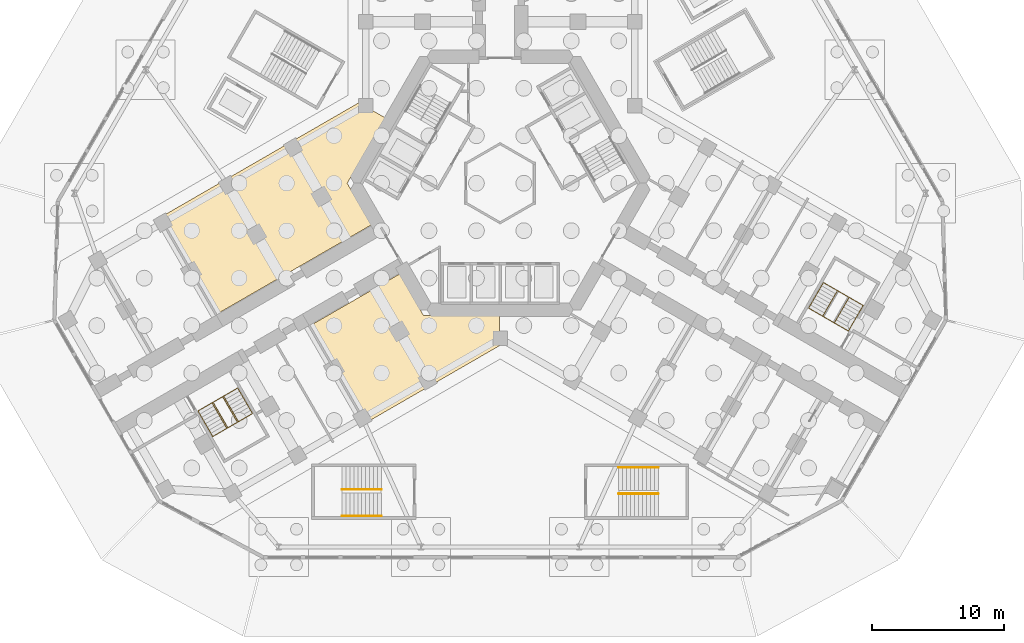
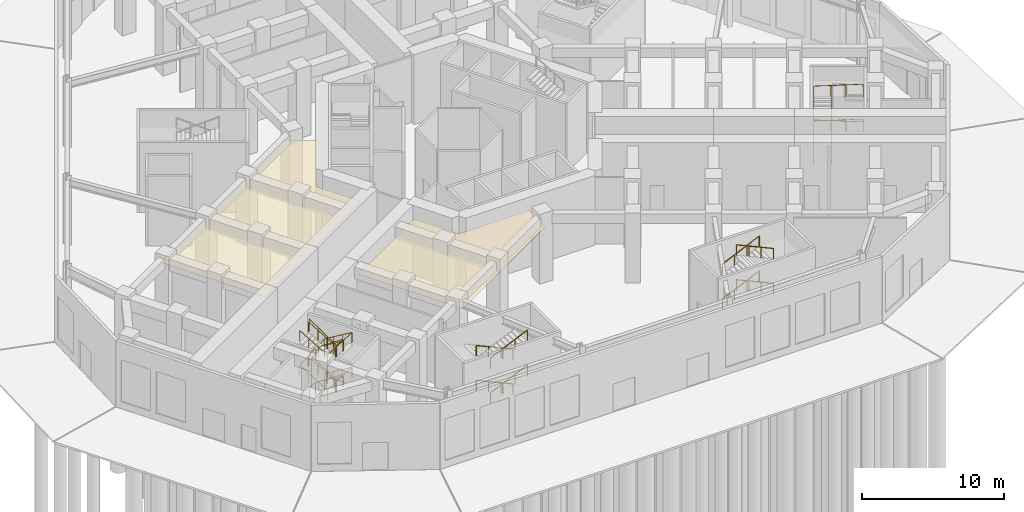
# One storey, part 13 of 16: 13 railings, 2 coverings.
"""IFC4 building model written with IfcOpenShell, lengths in metres."""

from ifc_helpers import new_model, si_unit, direction, frame, origin, origin_2d, place, context, subcontext, project, spatial, polyline, circle, outline, extrude, material, layer, layer_set, type_object, element, save


model = new_model("IFC4")

# Units and contexts
model_context = context("Model", 3, precision=1e-05, world=origin(), true_north=direction((0.0, 1.0)))
body_context = subcontext(model_context, "Body", "Model", "MODEL_VIEW")
ifc_project = project(units=[si_unit("LENGTHUNIT", "METRE"), si_unit("AREAUNIT", "SQUARE_METRE"), si_unit("VOLUMEUNIT", "CUBIC_METRE"), si_unit("PLANEANGLEUNIT", "RADIAN"), si_unit("MASSUNIT", "GRAM", prefix="KILO")], contexts=[model_context])

# Site, building, storey
site_placement = place(None, origin())
site = spatial("IfcSite", under=ifc_project, at=site_placement, CompositionType="ELEMENT")
building_placement = place(site_placement, origin())
building = spatial("IfcBuilding", under=site, at=building_placement, Name="Kosmar Iwan School Tower", CompositionType="ELEMENT")
storey_placement = place(building_placement, origin())
storey = spatial("IfcBuildingStorey", under=building, at=storey_placement, Name="L00", CompositionType="ELEMENT", Elevation=0.0)

# Coverings
ifc_material_1 = material(Name="Mineral fibre acoustic tiles")
ifc_layer = layer(ifc_material_1, 0.02490234375)
ifc_layer_set = layer_set([ifc_layer], Name="Acoustic ceiling")
covering_type = type_object("IfcCoveringType", Name="Acoustic ceiling", PredefinedType="CEILING", material=ifc_layer_set)
covering_1_placement = place(storey_placement, frame((0.0, 0.0, 4.800048828125)))
element("IfcCovering", 1, at=covering_1_placement, inside=storey, type_object=covering_type, Name="Ceiling Gymnasium L00-BL-R1", PredefinedType="CEILING", context=body_context, shape_type="SweptSolid", body=[
    extrude(outline(polyline([(-10.1767578125, -18.173095703125), (-0.0654296875, -12.33544921875), (-0.0625, -10.050048828125), (-5.802490234375, -10.050048828125), (-7.628662109375, -6.886962890625), (-14.4267578125, -10.81201171875), (-10.1767578125, -18.173095703125)])), origin(), (0.0, 0.0, 1.0), 0.02490234375),
])
covering_2_placement = place(storey_placement, frame((0.0, 0.0, 4.800048828125)))
element("IfcCovering", 2, at=covering_2_placement, inside=storey, type_object=covering_type, Name="Ceiling Gymnasium L00-BR-R1", PredefinedType="CEILING", context=body_context, shape_type="SweptSolid", body=[
    extrude(outline(polyline([(-21.51318359375, -9.93798828125), (-9.778564453125, -3.1630859375), (-11.604736328125, 0.0), (-8.73486328125, 4.970703125), (-10.71533203125, 6.111083984375), (-25.76318359375, -2.576904296875), (-21.51318359375, -9.93798828125)])), origin(), (0.0, 0.0, 1.0), 0.02490234375),
])

# Railings
ifc_material_2 = material(Name="Black steel", Category="steel")
railing_type_1 = type_object("IfcRailingType", Name="Stair handrail 900", PredefinedType="HANDRAIL", material=ifc_material_2)
railing_1_placement = place(storey_placement, frame((-19.9091796875, -15.5361328125, 0.166748046875)))
element("IfcRailing", 3, at=railing_1_placement, inside=storey, type_object=railing_type_1, Name="Handrail stair WS2 L00 wall side", PredefinedType="HANDRAIL", context=body_context, shape_type="SweptSolid", body=[
    extrude(circle(Radius=0.02392578125, at=origin_2d()), frame((0.0, 0.0, 0.8759765625), z_axis=(0.429608131991, -0.744204538217, 0.51146501173), x_axis=(0.866054910533, 0.49994888933, 0.0)), (0.0, 0.0, 1.0), 2.606689453125),
    extrude(circle(Radius=0.02392578125, at=origin_2d()), frame((1.119873046875, -1.93994140625, 2.208984375), z_axis=(-0.86502717203, -0.499436864473, 0.047862407526), x_axis=(0.500009906705, -0.86601968407, 0.0)), (0.0, 0.0, 1.0), 3.48388671875),
    extrude(circle(Radius=0.02392578125, at=origin_2d()), frame((-1.893798828125, -3.679931640625, 2.3759765625), z_axis=(-0.429684499369, 0.744174592847, 0.511444431354), x_axis=(-0.866007717299, -0.500030632641, 0.0)), (0.0, 0.0, 1.0), 2.60693359375),
    extrude(circle(Radius=0.02392578125, at=origin_2d()), frame((-3.013916015625, -1.739990234375, 3.708984375), z_axis=(0.865044810701, 0.499406590998, 0.047859506335), x_axis=(-0.499979528911, 0.866037222451, 0.0)), (0.0, 0.0, 1.0), 3.484130859375),
    extrude(circle(Radius=0.02392578125, at=origin_2d()), frame((0.0, 0.0, 3.8759765625), z_axis=(0.429608131991, -0.744204538217, 0.51146501173), x_axis=(0.866054910533, 0.49994888933, 0.0)), (0.0, 0.0, 1.0), 2.606689453125),
    extrude(circle(Radius=0.02392578125, at=origin_2d()), frame((1.119873046875, -1.93994140625, 5.208984375), z_axis=(-0.86502717203, -0.499436864473, 0.047862407526), x_axis=(0.500009906705, -0.86601968407, 0.0)), (0.0, 0.0, 1.0), 3.48388671875),
    extrude(circle(Radius=0.02392578125, at=origin_2d()), frame((-1.893798828125, -3.679931640625, 5.3759765625), z_axis=(-0.429684499369, 0.744174592847, 0.511444431354), x_axis=(-0.866007717299, -0.500030632641, 0.0)), (0.0, 0.0, 1.0), 2.60693359375),
    extrude(circle(Radius=0.02099609375, at=origin_2d()), origin(), (0.0, 0.0, 1.0), 0.851806640625),
    extrude(circle(Radius=0.02099609375, at=origin_2d()), frame((0.373291015625, -0.646728515625, 0.4443359375)), (0.0, 0.0, 1.0), 0.851806640625),
    extrude(circle(Radius=0.02099609375, at=origin_2d()), frame((0.74658203125, -1.293212890625, 0.888916015625)), (0.0, 0.0, 1.0), 0.851806640625),
    extrude(circle(Radius=0.02099609375, at=origin_2d()), frame((1.119873046875, -1.93994140625, 1.333251953125)), (0.0, 0.0, 1.0), 0.851806640625),
    extrude(circle(Radius=0.02099609375, at=origin_2d()), frame((0.115234375, -2.52001953125, 1.388916015625)), (0.0, 0.0, 1.0), 0.851806640625),
    extrude(circle(Radius=0.02099609375, at=origin_2d()), frame((-0.88916015625, -3.099853515625, 1.4443359375)), (0.0, 0.0, 1.0), 0.851806640625),
    extrude(circle(Radius=0.02099609375, at=origin_2d()), frame((-1.893798828125, -3.679931640625, 1.5)), (0.0, 0.0, 1.0), 0.851806640625),
    extrude(circle(Radius=0.02099609375, at=origin_2d()), frame((-2.26708984375, -3.033203125, 1.9443359375)), (0.0, 0.0, 1.0), 0.851806640625),
    extrude(circle(Radius=0.02099609375, at=origin_2d()), frame((-2.640625, -2.38671875, 2.388916015625)), (0.0, 0.0, 1.0), 0.851806640625),
    extrude(circle(Radius=0.02099609375, at=origin_2d()), frame((-3.013916015625, -1.739990234375, 2.833251953125)), (0.0, 0.0, 1.0), 0.851806640625),
    extrude(circle(Radius=0.02099609375, at=origin_2d()), frame((-2.00927734375, -1.159912109375, 2.888916015625)), (0.0, 0.0, 1.0), 0.851806640625),
    extrude(circle(Radius=0.02099609375, at=origin_2d()), frame((-1.004638671875, -0.580078125, 2.9443359375)), (0.0, 0.0, 1.0), 0.851806640625),
    extrude(circle(Radius=0.02099609375, at=origin_2d()), frame((0.0, 0.0, 3.0)), (0.0, 0.0, 1.0), 0.851806640625),
    extrude(circle(Radius=0.02099609375, at=origin_2d()), frame((0.373291015625, -0.646728515625, 3.4443359375)), (0.0, 0.0, 1.0), 0.851806640625),
    extrude(circle(Radius=0.02099609375, at=origin_2d()), frame((0.74658203125, -1.293212890625, 3.888916015625)), (0.0, 0.0, 1.0), 0.851806640625),
    extrude(circle(Radius=0.02099609375, at=origin_2d()), frame((1.119873046875, -1.93994140625, 4.333251953125)), (0.0, 0.0, 1.0), 0.851806640625),
    extrude(circle(Radius=0.02099609375, at=origin_2d()), frame((0.115234375, -2.52001953125, 4.388916015625)), (0.0, 0.0, 1.0), 0.851806640625),
    extrude(circle(Radius=0.02099609375, at=origin_2d()), frame((-0.88916015625, -3.099853515625, 4.4443359375)), (0.0, 0.0, 1.0), 0.851806640625),
    extrude(circle(Radius=0.02099609375, at=origin_2d()), frame((-1.893798828125, -3.679931640625, 4.5)), (0.0, 0.0, 1.0), 0.851806640625),
    extrude(circle(Radius=0.02099609375, at=origin_2d()), frame((-2.26708984375, -3.033203125, 4.9443359375)), (0.0, 0.0, 1.0), 0.851806640625),
    extrude(circle(Radius=0.02099609375, at=origin_2d()), frame((-2.640625, -2.38671875, 5.388916015625)), (0.0, 0.0, 1.0), 0.851806640625),
    extrude(circle(Radius=0.02099609375, at=origin_2d()), frame((-3.013916015625, -1.739990234375, 5.833251953125)), (0.0, 0.0, 1.0), 0.851806640625),
])
railing_2_placement = place(storey_placement, frame((-20.974609375, -16.151123046875, 0.166748046875)))
element("IfcRailing", 4, at=railing_2_placement, inside=storey, type_object=railing_type_1, Name="Handrail stair WS2 L00 well side", PredefinedType="HANDRAIL", context=body_context, shape_type="SweptSolid", body=[
    extrude(circle(Radius=0.02392578125, at=origin_2d()), frame((0.0, 0.0, 0.8759765625), z_axis=(0.429684499369, -0.744174592847, 0.511444431354), x_axis=(0.866007717299, 0.500030632641, 0.0)), (0.0, 0.0, 1.0), 2.60693359375),
    extrude(circle(Radius=0.02392578125, at=origin_2d()), frame((1.1201171875, -1.93994140625, 2.208984375), z_axis=(-0.854664199846, -0.493475266301, 0.161342080844), x_axis=(0.500026340207, -0.866010195725, 0.0)), (0.0, 0.0, 1.0), 1.033447265625),
    extrude(circle(Radius=0.02392578125, at=origin_2d()), frame((0.23681640625, -2.449951171875, 2.3759765625), z_axis=(-0.429684499369, 0.744174592847, 0.511444431354), x_axis=(-0.866007717299, -0.500030632641, 0.0)), (0.0, 0.0, 1.0), 2.60693359375),
    extrude(circle(Radius=0.02392578125, at=origin_2d()), frame((-0.88330078125, -0.510009765625, 3.708984375), z_axis=(0.854664199846, 0.493475266301, 0.161342080844), x_axis=(-0.500026340207, 0.866010195725, 0.0)), (0.0, 0.0, 1.0), 1.033447265625),
    extrude(circle(Radius=0.02392578125, at=origin_2d()), frame((0.0, 0.0, 3.8759765625), z_axis=(0.429684499369, -0.744174592847, 0.511444431354), x_axis=(0.866007717299, 0.500030632641, 0.0)), (0.0, 0.0, 1.0), 2.60693359375),
    extrude(circle(Radius=0.02392578125, at=origin_2d()), frame((1.1201171875, -1.93994140625, 5.208984375), z_axis=(-0.854664199846, -0.493475266301, 0.161342080844), x_axis=(0.500026340207, -0.866010195725, 0.0)), (0.0, 0.0, 1.0), 1.033447265625),
    extrude(circle(Radius=0.02392578125, at=origin_2d()), frame((0.23681640625, -2.449951171875, 5.3759765625), z_axis=(-0.429684499369, 0.744174592847, 0.511444431354), x_axis=(-0.866007717299, -0.500030632641, 0.0)), (0.0, 0.0, 1.0), 2.60693359375),
    extrude(circle(Radius=0.02099609375, at=origin_2d()), origin(), (0.0, 0.0, 1.0), 0.851806640625),
    extrude(circle(Radius=0.02099609375, at=origin_2d()), frame((0.373291015625, -0.646728515625, 0.4443359375)), (0.0, 0.0, 1.0), 0.851806640625),
    extrude(circle(Radius=0.02099609375, at=origin_2d()), frame((0.746826171875, -1.293212890625, 0.888916015625)), (0.0, 0.0, 1.0), 0.851806640625),
    extrude(circle(Radius=0.02099609375, at=origin_2d()), frame((1.1201171875, -1.93994140625, 1.333251953125)), (0.0, 0.0, 1.0), 0.851806640625),
    extrude(circle(Radius=0.02099609375, at=origin_2d()), frame((0.23681640625, -2.449951171875, 1.5)), (0.0, 0.0, 1.0), 0.851806640625),
    extrude(circle(Radius=0.02099609375, at=origin_2d()), frame((-0.136474609375, -1.80322265625, 1.9443359375)), (0.0, 0.0, 1.0), 0.851806640625),
    extrude(circle(Radius=0.02099609375, at=origin_2d()), frame((-0.510009765625, -1.15673828125, 2.388916015625)), (0.0, 0.0, 1.0), 0.851806640625),
    extrude(circle(Radius=0.02099609375, at=origin_2d()), frame((-0.88330078125, -0.510009765625, 2.833251953125)), (0.0, 0.0, 1.0), 0.851806640625),
    extrude(circle(Radius=0.02099609375, at=origin_2d()), frame((0.0, 0.0, 3.0)), (0.0, 0.0, 1.0), 0.851806640625),
    extrude(circle(Radius=0.02099609375, at=origin_2d()), frame((0.373291015625, -0.646728515625, 3.4443359375)), (0.0, 0.0, 1.0), 0.851806640625),
    extrude(circle(Radius=0.02099609375, at=origin_2d()), frame((0.746826171875, -1.293212890625, 3.888916015625)), (0.0, 0.0, 1.0), 0.851806640625),
    extrude(circle(Radius=0.02099609375, at=origin_2d()), frame((1.1201171875, -1.93994140625, 4.333251953125)), (0.0, 0.0, 1.0), 0.851806640625),
    extrude(circle(Radius=0.02099609375, at=origin_2d()), frame((0.23681640625, -2.449951171875, 4.5)), (0.0, 0.0, 1.0), 0.851806640625),
    extrude(circle(Radius=0.02099609375, at=origin_2d()), frame((-0.136474609375, -1.80322265625, 4.9443359375)), (0.0, 0.0, 1.0), 0.851806640625),
    extrude(circle(Radius=0.02099609375, at=origin_2d()), frame((-0.510009765625, -1.15673828125, 5.388916015625)), (0.0, 0.0, 1.0), 0.851806640625),
    extrude(circle(Radius=0.02099609375, at=origin_2d()), frame((-0.88330078125, -0.510009765625, 5.833251953125)), (0.0, 0.0, 1.0), 0.851806640625),
])
railing_3_placement = place(storey_placement, frame((23.4091796875, -9.473876953125, 0.166748046875)))
element("IfcRailing", 5, at=railing_3_placement, inside=storey, type_object=railing_type_1, Name="Handrail stair WS3 L00 wall side", PredefinedType="HANDRAIL", context=body_context, shape_type="SweptSolid", body=[
    extrude(circle(Radius=0.02392578125, at=origin_2d()), frame((0.0, 0.0, 0.8759765625), z_axis=(0.429684499369, 0.744174592847, 0.511444431354), x_axis=(-0.866007717299, 0.500030632641, 0.0)), (0.0, 0.0, 1.0), 2.60693359375),
    extrude(circle(Radius=0.02392578125, at=origin_2d()), frame((1.1201171875, 1.93994140625, 2.208984375), z_axis=(0.86502717203, -0.499436864473, 0.047862407526), x_axis=(0.500009906705, 0.86601968407, 0.0)), (0.0, 0.0, 1.0), 3.48388671875),
    extrude(circle(Radius=0.02392578125, at=origin_2d()), frame((4.1337890625, 0.199951171875, 2.3759765625), z_axis=(-0.429608131991, -0.744204538217, 0.51146501173), x_axis=(0.866054910533, -0.49994888933, 0.0)), (0.0, 0.0, 1.0), 2.606689453125),
    extrude(circle(Radius=0.02392578125, at=origin_2d()), frame((3.013916015625, -1.739990234375, 3.708984375), z_axis=(-0.865044810701, 0.499406590998, 0.047859506335), x_axis=(-0.499979528911, -0.866037222451, 0.0)), (0.0, 0.0, 1.0), 3.484130859375),
    extrude(circle(Radius=0.02392578125, at=origin_2d()), frame((0.0, 0.0, 3.8759765625), z_axis=(0.429684499369, 0.744174592847, 0.511444431354), x_axis=(-0.866007717299, 0.500030632641, 0.0)), (0.0, 0.0, 1.0), 2.60693359375),
    extrude(circle(Radius=0.02392578125, at=origin_2d()), frame((1.1201171875, 1.93994140625, 5.208984375), z_axis=(0.86502717203, -0.499436864473, 0.047862407526), x_axis=(0.500009906705, 0.86601968407, 0.0)), (0.0, 0.0, 1.0), 3.48388671875),
    extrude(circle(Radius=0.02392578125, at=origin_2d()), frame((4.1337890625, 0.199951171875, 5.3759765625), z_axis=(-0.429608131991, -0.744204538217, 0.51146501173), x_axis=(0.866054910533, -0.49994888933, 0.0)), (0.0, 0.0, 1.0), 2.606689453125),
    extrude(circle(Radius=0.02099609375, at=origin_2d()), origin(), (0.0, 0.0, 1.0), 0.851806640625),
    extrude(circle(Radius=0.02099609375, at=origin_2d()), frame((0.373291015625, 0.646728515625, 0.4443359375)), (0.0, 0.0, 1.0), 0.851806640625),
    extrude(circle(Radius=0.02099609375, at=origin_2d()), frame((0.746826171875, 1.293212890625, 0.888916015625)), (0.0, 0.0, 1.0), 0.851806640625),
    extrude(circle(Radius=0.02099609375, at=origin_2d()), frame((1.1201171875, 1.93994140625, 1.333251953125)), (0.0, 0.0, 1.0), 0.851806640625),
    extrude(circle(Radius=0.02099609375, at=origin_2d()), frame((2.124755859375, 1.35986328125, 1.388916015625)), (0.0, 0.0, 1.0), 0.851806640625),
    extrude(circle(Radius=0.02099609375, at=origin_2d()), frame((3.129150390625, 0.780029296875, 1.4443359375)), (0.0, 0.0, 1.0), 0.851806640625),
    extrude(circle(Radius=0.02099609375, at=origin_2d()), frame((4.1337890625, 0.199951171875, 1.5)), (0.0, 0.0, 1.0), 0.851806640625),
    extrude(circle(Radius=0.02099609375, at=origin_2d()), frame((3.760498046875, -0.44677734375, 1.9443359375)), (0.0, 0.0, 1.0), 0.851806640625),
    extrude(circle(Radius=0.02099609375, at=origin_2d()), frame((3.38720703125, -1.09326171875, 2.388916015625)), (0.0, 0.0, 1.0), 0.851806640625),
    extrude(circle(Radius=0.02099609375, at=origin_2d()), frame((3.013916015625, -1.739990234375, 2.833251953125)), (0.0, 0.0, 1.0), 0.851806640625),
    extrude(circle(Radius=0.02099609375, at=origin_2d()), frame((2.00927734375, -1.159912109375, 2.888916015625)), (0.0, 0.0, 1.0), 0.851806640625),
    extrude(circle(Radius=0.02099609375, at=origin_2d()), frame((1.004638671875, -0.580078125, 2.9443359375)), (0.0, 0.0, 1.0), 0.851806640625),
    extrude(circle(Radius=0.02099609375, at=origin_2d()), frame((0.0, 0.0, 3.0)), (0.0, 0.0, 1.0), 0.851806640625),
    extrude(circle(Radius=0.02099609375, at=origin_2d()), frame((0.373291015625, 0.646728515625, 3.4443359375)), (0.0, 0.0, 1.0), 0.851806640625),
    extrude(circle(Radius=0.02099609375, at=origin_2d()), frame((0.746826171875, 1.293212890625, 3.888916015625)), (0.0, 0.0, 1.0), 0.851806640625),
    extrude(circle(Radius=0.02099609375, at=origin_2d()), frame((1.1201171875, 1.93994140625, 4.333251953125)), (0.0, 0.0, 1.0), 0.851806640625),
    extrude(circle(Radius=0.02099609375, at=origin_2d()), frame((2.124755859375, 1.35986328125, 4.388916015625)), (0.0, 0.0, 1.0), 0.851806640625),
    extrude(circle(Radius=0.02099609375, at=origin_2d()), frame((3.129150390625, 0.780029296875, 4.4443359375)), (0.0, 0.0, 1.0), 0.851806640625),
    extrude(circle(Radius=0.02099609375, at=origin_2d()), frame((4.1337890625, 0.199951171875, 4.5)), (0.0, 0.0, 1.0), 0.851806640625),
    extrude(circle(Radius=0.02099609375, at=origin_2d()), frame((3.760498046875, -0.44677734375, 4.9443359375)), (0.0, 0.0, 1.0), 0.851806640625),
    extrude(circle(Radius=0.02099609375, at=origin_2d()), frame((3.38720703125, -1.09326171875, 5.388916015625)), (0.0, 0.0, 1.0), 0.851806640625),
    extrude(circle(Radius=0.02099609375, at=origin_2d()), frame((3.013916015625, -1.739990234375, 5.833251953125)), (0.0, 0.0, 1.0), 0.851806640625),
])
railing_4_placement = place(storey_placement, frame((24.474609375, -10.0888671875, 0.166748046875)))
element("IfcRailing", 6, at=railing_4_placement, inside=storey, type_object=railing_type_1, Name="Handrail stair WS3 L00 well side", PredefinedType="HANDRAIL", context=body_context, shape_type="SweptSolid", body=[
    extrude(circle(Radius=0.02392578125, at=origin_2d()), frame((0.0, 0.0, 0.8759765625), z_axis=(0.429608131991, 0.744204538217, 0.51146501173), x_axis=(-0.866054910533, 0.49994888933, 0.0)), (0.0, 0.0, 1.0), 2.606689453125),
    extrude(circle(Radius=0.02392578125, at=origin_2d()), frame((1.119873046875, 1.93994140625, 2.208984375), z_axis=(0.854664199846, -0.493475266301, 0.161342080844), x_axis=(0.500026340207, 0.866010195725, 0.0)), (0.0, 0.0, 1.0), 1.033447265625),
    extrude(circle(Radius=0.02392578125, at=origin_2d()), frame((2.003173828125, 1.429931640625, 2.3759765625), z_axis=(-0.429608131991, -0.744204538217, 0.51146501173), x_axis=(0.866054910533, -0.49994888933, 0.0)), (0.0, 0.0, 1.0), 2.606689453125),
    extrude(circle(Radius=0.02392578125, at=origin_2d()), frame((0.88330078125, -0.510009765625, 3.708984375), z_axis=(-0.854664199846, 0.493475266301, 0.161342080844), x_axis=(-0.500026340207, -0.866010195725, 0.0)), (0.0, 0.0, 1.0), 1.033447265625),
    extrude(circle(Radius=0.02392578125, at=origin_2d()), frame((0.0, 0.0, 3.8759765625), z_axis=(0.429608131991, 0.744204538217, 0.51146501173), x_axis=(-0.866054910533, 0.49994888933, 0.0)), (0.0, 0.0, 1.0), 2.606689453125),
    extrude(circle(Radius=0.02392578125, at=origin_2d()), frame((1.119873046875, 1.93994140625, 5.208984375), z_axis=(0.854664199846, -0.493475266301, 0.161342080844), x_axis=(0.500026340207, 0.866010195725, 0.0)), (0.0, 0.0, 1.0), 1.033447265625),
    extrude(circle(Radius=0.02392578125, at=origin_2d()), frame((2.003173828125, 1.429931640625, 5.3759765625), z_axis=(-0.429608131991, -0.744204538217, 0.51146501173), x_axis=(0.866054910533, -0.49994888933, 0.0)), (0.0, 0.0, 1.0), 2.606689453125),
    extrude(circle(Radius=0.02099609375, at=origin_2d()), origin(), (0.0, 0.0, 1.0), 0.851806640625),
    extrude(circle(Radius=0.02099609375, at=origin_2d()), frame((0.373291015625, 0.646728515625, 0.4443359375)), (0.0, 0.0, 1.0), 0.851806640625),
    extrude(circle(Radius=0.02099609375, at=origin_2d()), frame((0.74658203125, 1.293212890625, 0.888916015625)), (0.0, 0.0, 1.0), 0.851806640625),
    extrude(circle(Radius=0.02099609375, at=origin_2d()), frame((1.119873046875, 1.93994140625, 1.333251953125)), (0.0, 0.0, 1.0), 0.851806640625),
    extrude(circle(Radius=0.02099609375, at=origin_2d()), frame((2.003173828125, 1.429931640625, 1.5)), (0.0, 0.0, 1.0), 0.851806640625),
    extrude(circle(Radius=0.02099609375, at=origin_2d()), frame((1.6298828125, 0.783203125, 1.9443359375)), (0.0, 0.0, 1.0), 0.851806640625),
    extrude(circle(Radius=0.02099609375, at=origin_2d()), frame((1.256591796875, 0.13671875, 2.388916015625)), (0.0, 0.0, 1.0), 0.851806640625),
    extrude(circle(Radius=0.02099609375, at=origin_2d()), frame((0.88330078125, -0.510009765625, 2.833251953125)), (0.0, 0.0, 1.0), 0.851806640625),
    extrude(circle(Radius=0.02099609375, at=origin_2d()), frame((0.0, 0.0, 3.0)), (0.0, 0.0, 1.0), 0.851806640625),
    extrude(circle(Radius=0.02099609375, at=origin_2d()), frame((0.373291015625, 0.646728515625, 3.4443359375)), (0.0, 0.0, 1.0), 0.851806640625),
    extrude(circle(Radius=0.02099609375, at=origin_2d()), frame((0.74658203125, 1.293212890625, 3.888916015625)), (0.0, 0.0, 1.0), 0.851806640625),
    extrude(circle(Radius=0.02099609375, at=origin_2d()), frame((1.119873046875, 1.93994140625, 4.333251953125)), (0.0, 0.0, 1.0), 0.851806640625),
    extrude(circle(Radius=0.02099609375, at=origin_2d()), frame((2.003173828125, 1.429931640625, 4.5)), (0.0, 0.0, 1.0), 0.851806640625),
    extrude(circle(Radius=0.02099609375, at=origin_2d()), frame((1.6298828125, 0.783203125, 4.9443359375)), (0.0, 0.0, 1.0), 0.851806640625),
    extrude(circle(Radius=0.02099609375, at=origin_2d()), frame((1.256591796875, 0.13671875, 5.388916015625)), (0.0, 0.0, 1.0), 0.851806640625),
    extrude(circle(Radius=0.02099609375, at=origin_2d()), frame((0.88330078125, -0.510009765625, 5.833251953125)), (0.0, 0.0, 1.0), 0.851806640625),
])
railing_5_placement = place(storey_placement, frame((-9.0, -23.239990234375, 0.136474609375)))
element("IfcRailing", 7, at=railing_5_placement, inside=storey, type_object=railing_type_1, Name="Handrail SS1 flight 1", PredefinedType="HANDRAIL", context=body_context, shape_type="SweptSolid", body=[
    extrude(circle(Radius=0.02392578125, at=origin_2d()), frame((0.0, 0.0, 0.8759765625), z_axis=(-0.910379163139, 0.0, 0.413775034678), x_axis=(0.0, -1.0, 0.0)), (0.0, 0.0, 1.0), 3.29541015625),
    extrude(circle(Radius=0.02099609375, at=origin_2d()), origin(), (0.0, 0.0, 1.0), 0.851806640625),
    extrude(circle(Radius=0.02099609375, at=origin_2d()), frame((-1.0, 0.0, 0.45458984375)), (0.0, 0.0, 1.0), 0.851806640625),
    extrude(circle(Radius=0.02099609375, at=origin_2d()), frame((-2.0, 0.0, 0.908935546875)), (0.0, 0.0, 1.0), 0.851806640625),
    extrude(circle(Radius=0.02099609375, at=origin_2d()), frame((-3.0, 0.0, 1.363525390625)), (0.0, 0.0, 1.0), 0.851806640625),
])
railing_6_placement = place(storey_placement, frame((-12.0, -25.239990234375, 1.636474609375)))
element("IfcRailing", 8, at=railing_6_placement, inside=storey, type_object=railing_type_1, Name="Handrail SS1 flight 2", PredefinedType="HANDRAIL", context=body_context, shape_type="SweptSolid", body=[
    extrude(circle(Radius=0.02392578125, at=origin_2d()), frame((0.0, 0.0, 0.8759765625), z_axis=(0.910379163139, 0.0, 0.413775034678), x_axis=(0.0, 1.0, 0.0)), (0.0, 0.0, 1.0), 3.29541015625),
    extrude(circle(Radius=0.02099609375, at=origin_2d()), origin(), (0.0, 0.0, 1.0), 0.851806640625),
    extrude(circle(Radius=0.02099609375, at=origin_2d()), frame((1.0, 0.0, 0.45458984375)), (0.0, 0.0, 1.0), 0.851806640625),
    extrude(circle(Radius=0.02099609375, at=origin_2d()), frame((2.0, 0.0, 0.908935546875)), (0.0, 0.0, 1.0), 0.851806640625),
    extrude(circle(Radius=0.02099609375, at=origin_2d()), frame((3.0, 0.0, 1.363525390625)), (0.0, 0.0, 1.0), 0.851806640625),
])
railing_7_placement = place(storey_placement, frame((-9.0, -23.239990234375, 3.136474609375)))
element("IfcRailing", 9, at=railing_7_placement, inside=storey, type_object=railing_type_1, Name="Handrail SS1 flight 3", PredefinedType="HANDRAIL", context=body_context, shape_type="SweptSolid", body=[
    extrude(circle(Radius=0.02392578125, at=origin_2d()), frame((0.0, 0.0, 0.8759765625), z_axis=(-0.910379163139, 0.0, 0.413775034678), x_axis=(0.0, -1.0, 0.0)), (0.0, 0.0, 1.0), 3.29541015625),
    extrude(circle(Radius=0.02099609375, at=origin_2d()), origin(), (0.0, 0.0, 1.0), 0.851806640625),
    extrude(circle(Radius=0.02099609375, at=origin_2d()), frame((-1.0, 0.0, 0.45458984375)), (0.0, 0.0, 1.0), 0.851806640625),
    extrude(circle(Radius=0.02099609375, at=origin_2d()), frame((-2.0, 0.0, 0.908935546875)), (0.0, 0.0, 1.0), 0.851806640625),
    extrude(circle(Radius=0.02099609375, at=origin_2d()), frame((-3.0, 0.0, 1.363525390625)), (0.0, 0.0, 1.0), 0.851806640625),
])
for number, where, name in (
    (10, (-12.0, -25.239990234375, 4.636474609375), "Handrail SS1 flight 4"),
    (11, (9.0, -21.56005859375, 0.136474609375), "Handrail SS2 flight 1"),
):
    element("IfcRailing", number, at=place(storey_placement, frame(where)), inside=storey, type_object=railing_type_1, Name=name, PredefinedType="HANDRAIL", context=body_context, shape_type="SweptSolid", body=[
        extrude(circle(Radius=0.02392578125, at=origin_2d()), frame((0.0, 0.0, 0.8759765625), z_axis=(0.910379163139, 0.0, 0.413775034678), x_axis=(0.0, 1.0, 0.0)), (0.0, 0.0, 1.0), 3.29541015625),
        extrude(circle(Radius=0.02099609375, at=origin_2d()), origin(), (0.0, 0.0, 1.0), 0.851806640625),
        extrude(circle(Radius=0.02099609375, at=origin_2d()), frame((1.0, 0.0, 0.45458984375)), (0.0, 0.0, 1.0), 0.851806640625),
        extrude(circle(Radius=0.02099609375, at=origin_2d()), frame((2.0, 0.0, 0.908935546875)), (0.0, 0.0, 1.0), 0.851806640625),
        extrude(circle(Radius=0.02099609375, at=origin_2d()), frame((3.0, 0.0, 1.363525390625)), (0.0, 0.0, 1.0), 0.851806640625),
    ])
railing_8_placement = place(storey_placement, frame((12.0, -23.56005859375, 1.636474609375)))
element("IfcRailing", 12, at=railing_8_placement, inside=storey, type_object=railing_type_1, Name="Handrail SS2 flight 2", PredefinedType="HANDRAIL", context=body_context, shape_type="SweptSolid", body=[
    extrude(circle(Radius=0.02392578125, at=origin_2d()), frame((0.0, 0.0, 0.8759765625), z_axis=(-0.910379163139, 0.0, 0.413775034678), x_axis=(0.0, -1.0, 0.0)), (0.0, 0.0, 1.0), 3.29541015625),
    extrude(circle(Radius=0.02099609375, at=origin_2d()), origin(), (0.0, 0.0, 1.0), 0.851806640625),
    extrude(circle(Radius=0.02099609375, at=origin_2d()), frame((-1.0, 0.0, 0.45458984375)), (0.0, 0.0, 1.0), 0.851806640625),
    extrude(circle(Radius=0.02099609375, at=origin_2d()), frame((-2.0, 0.0, 0.908935546875)), (0.0, 0.0, 1.0), 0.851806640625),
    extrude(circle(Radius=0.02099609375, at=origin_2d()), frame((-3.0, 0.0, 1.363525390625)), (0.0, 0.0, 1.0), 0.851806640625),
])
railing_9_placement = place(storey_placement, frame((9.0, -21.56005859375, 3.136474609375)))
element("IfcRailing", 13, at=railing_9_placement, inside=storey, type_object=railing_type_1, Name="Handrail SS2 flight 3", PredefinedType="HANDRAIL", context=body_context, shape_type="SweptSolid", body=[
    extrude(circle(Radius=0.02392578125, at=origin_2d()), frame((0.0, 0.0, 0.8759765625), z_axis=(0.910379163139, 0.0, 0.413775034678), x_axis=(0.0, 1.0, 0.0)), (0.0, 0.0, 1.0), 3.29541015625),
    extrude(circle(Radius=0.02099609375, at=origin_2d()), origin(), (0.0, 0.0, 1.0), 0.851806640625),
    extrude(circle(Radius=0.02099609375, at=origin_2d()), frame((1.0, 0.0, 0.45458984375)), (0.0, 0.0, 1.0), 0.851806640625),
    extrude(circle(Radius=0.02099609375, at=origin_2d()), frame((2.0, 0.0, 0.908935546875)), (0.0, 0.0, 1.0), 0.851806640625),
    extrude(circle(Radius=0.02099609375, at=origin_2d()), frame((3.0, 0.0, 1.363525390625)), (0.0, 0.0, 1.0), 0.851806640625),
])
railing_10_placement = place(storey_placement, frame((12.0, -23.56005859375, 4.636474609375)))
element("IfcRailing", 14, at=railing_10_placement, inside=storey, type_object=railing_type_1, Name="Handrail SS2 flight 4", PredefinedType="HANDRAIL", context=body_context, shape_type="SweptSolid", body=[
    extrude(circle(Radius=0.02392578125, at=origin_2d()), frame((0.0, 0.0, 0.8759765625), z_axis=(-0.910379163139, 0.0, 0.413775034678), x_axis=(0.0, -1.0, 0.0)), (0.0, 0.0, 1.0), 3.29541015625),
    extrude(circle(Radius=0.02099609375, at=origin_2d()), origin(), (0.0, 0.0, 1.0), 0.851806640625),
    extrude(circle(Radius=0.02099609375, at=origin_2d()), frame((-1.0, 0.0, 0.45458984375)), (0.0, 0.0, 1.0), 0.851806640625),
    extrude(circle(Radius=0.02099609375, at=origin_2d()), frame((-2.0, 0.0, 0.908935546875)), (0.0, 0.0, 1.0), 0.851806640625),
    extrude(circle(Radius=0.02099609375, at=origin_2d()), frame((-3.0, 0.0, 1.363525390625)), (0.0, 0.0, 1.0), 0.851806640625),
])
ifc_material_3 = material(Name="Black steel", Category="steel")
railing_type_2 = type_object("IfcRailingType", Name="Stair well guard 1100", PredefinedType="GUARDRAIL", material=ifc_material_3)
railing_11_placement = place(storey_placement, frame((-21.780029296875, -16.6162109375, 0.0)))
element("IfcRailing", 15, at=railing_11_placement, inside=storey, type_object=railing_type_2, Name="Stair WS2 L00 well guard", PredefinedType="GUARDRAIL", context=body_context, shape_type="SweptSolid", body=[
    extrude(circle(Radius=0.02392578125, at=origin_2d()), frame((0.0, 0.0, 1.076171875), z_axis=(0.865962960534, 0.500108139288, 0.0), x_axis=(-0.500108139288, 0.865962960534, 0.0)), (0.0, 0.0, 1.0), 0.840087890625),
    extrude(circle(Radius=0.02392578125, at=origin_2d()), frame((0.7275390625, 0.420166015625, 1.076171875), z_axis=(0.415484618978, -0.719581687532, 0.556394398212), x_axis=(0.866007717299, 0.500030632641, 0.0)), (0.0, 0.0, 1.0), 2.696044921875),
    extrude(circle(Radius=0.02392578125, at=origin_2d()), frame((1.84765625, -1.519775390625, 2.576171875), z_axis=(-0.866088799389, -0.499890179513, 0.0), x_axis=(0.499890179513, -0.866088799389, 0.0)), (0.0, 0.0, 1.0), 0.840087890625),
    extrude(circle(Radius=0.02392578125, at=origin_2d()), frame((1.1201171875, -1.939697265625, 2.576171875), z_axis=(-0.415511694804, 0.719538015522, 0.556430656686), x_axis=(-0.865980463445, -0.500077830873, 0.0)), (0.0, 0.0, 1.0), 2.69580078125),
    extrude(circle(Radius=0.02392578125, at=origin_2d()), frame((0.0, 0.0, 4.076171875), z_axis=(0.865962960534, 0.500108139288, 0.0), x_axis=(-0.500108139288, 0.865962960534, 0.0)), (0.0, 0.0, 1.0), 0.840087890625),
    extrude(circle(Radius=0.02392578125, at=origin_2d()), frame((0.7275390625, 0.420166015625, 4.076171875), z_axis=(0.415484618978, -0.719581687532, 0.556394398212), x_axis=(0.866007717299, 0.500030632641, 0.0)), (0.0, 0.0, 1.0), 2.696044921875),
    extrude(circle(Radius=0.02392578125, at=origin_2d()), frame((1.84765625, -1.519775390625, 5.576171875), z_axis=(-0.866088799389, -0.499890179513, 0.0), x_axis=(0.499890179513, -0.866088799389, 0.0)), (0.0, 0.0, 1.0), 0.840087890625),
    extrude(circle(Radius=0.02392578125, at=origin_2d()), frame((1.1201171875, -1.939697265625, 5.576171875), z_axis=(-0.415511694804, 0.719538015522, 0.556430656686), x_axis=(-0.865980463445, -0.500077830873, 0.0)), (0.0, 0.0, 1.0), 2.69580078125),
    extrude(circle(Radius=0.02099609375, at=origin_2d()), origin(), (0.0, 0.0, 1.0), 1.052001953125),
    extrude(circle(Radius=0.02099609375, at=origin_2d()), frame((0.7275390625, 0.420166015625, 0.0)), (0.0, 0.0, 1.0), 1.052001953125),
    extrude(circle(Radius=0.02099609375, at=origin_2d()), frame((1.100830078125, -0.2265625, 0.5)), (0.0, 0.0, 1.0), 1.052001953125),
    extrude(circle(Radius=0.02099609375, at=origin_2d()), frame((1.474365234375, -0.873046875, 1.0)), (0.0, 0.0, 1.0), 1.052001953125),
    extrude(circle(Radius=0.02099609375, at=origin_2d()), frame((1.84765625, -1.519775390625, 1.5)), (0.0, 0.0, 1.0), 1.052001953125),
    extrude(circle(Radius=0.02099609375, at=origin_2d()), frame((1.1201171875, -1.939697265625, 1.5)), (0.0, 0.0, 1.0), 1.052001953125),
    extrude(circle(Radius=0.02099609375, at=origin_2d()), frame((0.746826171875, -1.293212890625, 2.0)), (0.0, 0.0, 1.0), 1.052001953125),
    extrude(circle(Radius=0.02099609375, at=origin_2d()), frame((0.373291015625, -0.646484375, 2.5)), (0.0, 0.0, 1.0), 1.052001953125),
    extrude(circle(Radius=0.02099609375, at=origin_2d()), frame((0.0, 0.0, 3.0)), (0.0, 0.0, 1.0), 1.052001953125),
    extrude(circle(Radius=0.02099609375, at=origin_2d()), frame((0.7275390625, 0.420166015625, 3.0)), (0.0, 0.0, 1.0), 1.052001953125),
    extrude(circle(Radius=0.02099609375, at=origin_2d()), frame((1.100830078125, -0.2265625, 3.5)), (0.0, 0.0, 1.0), 1.052001953125),
    extrude(circle(Radius=0.02099609375, at=origin_2d()), frame((1.474365234375, -0.873046875, 4.0)), (0.0, 0.0, 1.0), 1.052001953125),
    extrude(circle(Radius=0.02099609375, at=origin_2d()), frame((1.84765625, -1.519775390625, 4.5)), (0.0, 0.0, 1.0), 1.052001953125),
    extrude(circle(Radius=0.02099609375, at=origin_2d()), frame((1.1201171875, -1.939697265625, 4.5)), (0.0, 0.0, 1.0), 1.052001953125),
    extrude(circle(Radius=0.02099609375, at=origin_2d()), frame((0.746826171875, -1.293212890625, 5.0)), (0.0, 0.0, 1.0), 1.052001953125),
    extrude(circle(Radius=0.02099609375, at=origin_2d()), frame((0.373291015625, -0.646484375, 5.5)), (0.0, 0.0, 1.0), 1.052001953125),
    extrude(circle(Radius=0.02099609375, at=origin_2d()), frame((0.0, 0.0, 6.0)), (0.0, 0.0, 1.0), 1.052001953125),
])

save(model, "model.ifc")
